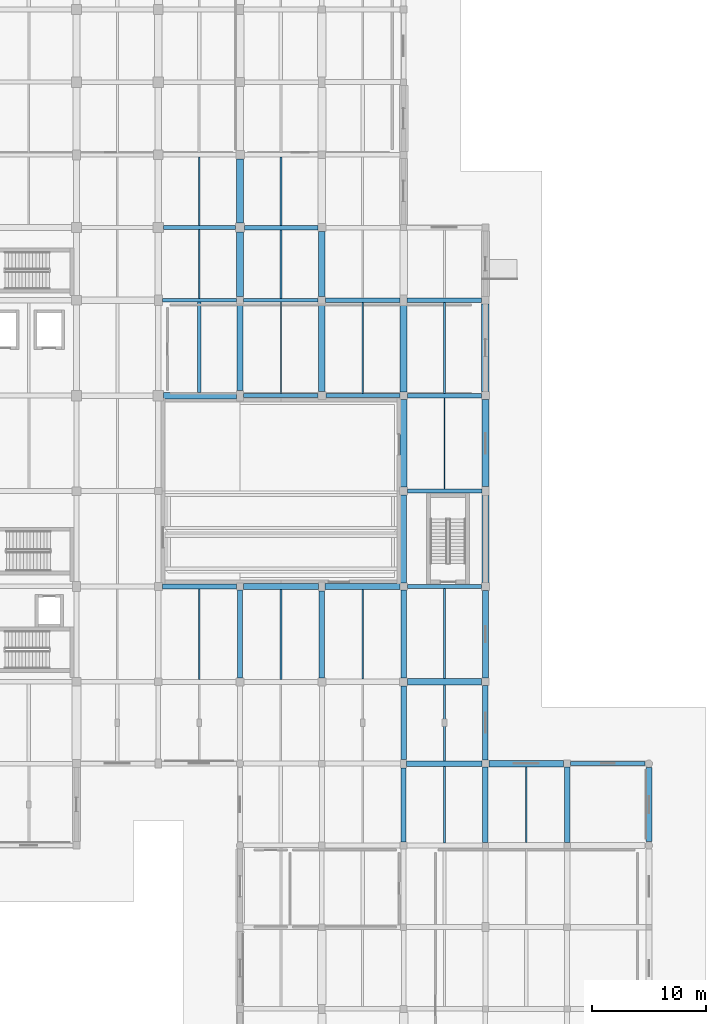
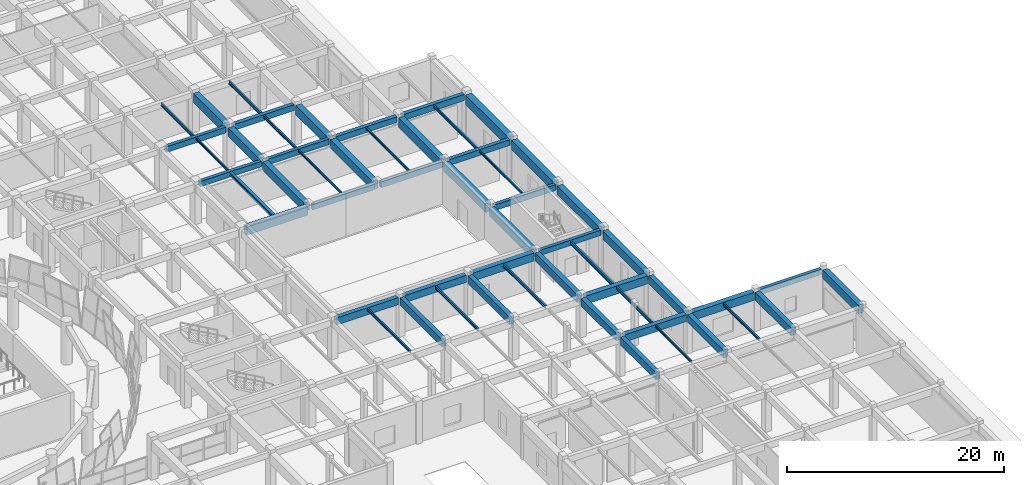
# One storey, part 37 of 72: 56 beams.
"""IFC4 building model written with IfcOpenShell, lengths in metres."""

from ifc_helpers import new_model, si_unit, direction, frame, origin, origin_2d, place, context, subcontext, project, spatial, rectangle, i_section, extrude, material, material_profile, profile_set, type_object, element, save


model = new_model("IFC4")

# Units and contexts
model_context = context("Model", 3, precision=1e-05, world=origin(), true_north=direction((0.0, 1.0)))
body_context = subcontext(model_context, "Body", "Model", "MODEL_VIEW")
ifc_project = project(units=[si_unit("LENGTHUNIT", "METRE"), si_unit("AREAUNIT", "SQUARE_METRE"), si_unit("VOLUMEUNIT", "CUBIC_METRE"), si_unit("PLANEANGLEUNIT", "RADIAN"), si_unit("MASSUNIT", "GRAM", prefix="KILO")], contexts=[model_context])

# Site, building, storey
site_placement = place(None, origin())
site = spatial("IfcSite", under=ifc_project, at=site_placement, CompositionType="ELEMENT")
building_placement = place(site_placement, origin())
building = spatial("IfcBuilding", under=site, at=building_placement, Name="Korsvaeld Concert Hall", CompositionType="ELEMENT")
storey_placement = place(building_placement, origin())
storey = spatial("IfcBuildingStorey", under=building, at=storey_placement, Name="L00", CompositionType="ELEMENT", Elevation=0.0)

# Beams
ifc_material_1 = material(Name="Concrete C35/45", Category="concrete")
ifc_material_profile_1 = material_profile(ifc_material_1, rectangle(XDim=0.35009765625, YDim=0.60009765625, at=origin_2d()), Name="RC 350x600")
ifc_profile_set_1 = profile_set([ifc_material_profile_1], Name="Concrete C35/45")
beam_type_1 = type_object("IfcBeamType", Name="BM-RC-350x600", PredefinedType="T_BEAM", material=ifc_profile_set_1)
beam_1_placement = place(storey_placement, frame((161.10009765625, 36.0, 4.139892578125), z_axis=(1.0, 0.0, 0.0), x_axis=(0.0, 1.0, 0.0)))
element("IfcBeam", 1, at=beam_1_placement, inside=storey, type_object=beam_type_1, Name="Primary girder 22-23/F L00", PredefinedType="T_BEAM", context=body_context, shape_type="SweptSolid", body=[
    extrude(rectangle(XDim=0.35009765625, YDim=0.60009765625, at=origin_2d()), origin(), (0.0, 0.0, 1.0), 6.574951171875),
])
beam_2_placement = place(storey_placement, frame((146.72509765625, 51.60009765625, 4.139892578125), z_axis=(1.0, 0.0, 0.0), x_axis=(0.0, 1.0, 0.0)))
element("IfcBeam", 2, at=beam_2_placement, inside=storey, type_object=beam_type_1, Name="Primary girder 20-21/H L00", PredefinedType="T_BEAM", context=body_context, shape_type="SweptSolid", body=[
    extrude(rectangle(XDim=0.35009765625, YDim=0.60009765625, at=origin_2d()), origin(), (0.0, 0.0, 1.0), 6.52490234375),
])
beam_3_placement = place(storey_placement, frame((132.300048828125, 68.39990234375, 4.139892578125), z_axis=(1.0, 0.0, 0.0), x_axis=(0.0, 1.0, 0.0)))
element("IfcBeam", 3, at=beam_3_placement, inside=storey, type_object=beam_type_1, Name="Primary girder 18-19/K L00", PredefinedType="T_BEAM", context=body_context, shape_type="SweptSolid", body=[
    extrude(rectangle(XDim=0.35009765625, YDim=0.60009765625, at=origin_2d()), origin(), (0.0, 0.0, 1.0), 6.550048828125),
])
beam_4_placement = place(storey_placement, frame((125.14990234375, 76.800048828125, 4.139892578125), z_axis=(1.0, 0.0, 0.0), x_axis=(0.0, 1.0, 0.0)))
element("IfcBeam", 4, at=beam_4_placement, inside=storey, type_object=beam_type_1, Name="Primary girder 17-18/L L00", PredefinedType="T_BEAM", context=body_context, shape_type="SweptSolid", body=[
    extrude(rectangle(XDim=0.35009765625, YDim=0.60009765625, at=origin_2d()), origin(), (0.0, 0.0, 1.0), 6.525146484375),
])
ifc_material_profile_2 = material_profile(ifc_material_1, rectangle(XDim=0.35009765625, YDim=0.64990234375, at=origin_2d()), Name="RC 350x650")
ifc_profile_set_2 = profile_set([ifc_material_profile_2], Name="Concrete C35/45")
beam_type_2 = type_object("IfcBeamType", Name="BM-RC-350x650", PredefinedType="T_BEAM", material=ifc_profile_set_2)
beam_5_placement = place(storey_placement, frame((146.75, 60.0, 4.114990234375), z_axis=(1.0, 0.0, 0.0), x_axis=(0.0, 1.0, 0.0)))
element("IfcBeam", 5, at=beam_5_placement, inside=storey, type_object=beam_type_2, Name="Primary girder 20-21/J L00", PredefinedType="T_BEAM", context=body_context, shape_type="SweptSolid", body=[
    extrude(rectangle(XDim=0.35009765625, YDim=0.64990234375, at=origin_2d()), origin(), (0.0, 0.0, 1.0), 6.550048828125),
])
beam_6_placement = place(storey_placement, frame((139.550048828125, 68.39990234375, 4.114990234375), z_axis=(1.0, 0.0, 0.0), x_axis=(0.0, 1.0, 0.0)))
element("IfcBeam", 6, at=beam_6_placement, inside=storey, type_object=beam_type_2, Name="Primary girder 19-20/K L00", PredefinedType="T_BEAM", context=body_context, shape_type="SweptSolid", body=[
    extrude(rectangle(XDim=0.35009765625, YDim=0.64990234375, at=origin_2d()), origin(), (0.0, 0.0, 1.0), 6.52490234375),
])
beam_7_placement = place(storey_placement, frame((132.324951171875, 76.800048828125, 4.114990234375), z_axis=(1.0, 0.0, 0.0), x_axis=(0.0, 1.0, 0.0)))
element("IfcBeam", 7, at=beam_7_placement, inside=storey, type_object=beam_type_2, Name="Primary girder 18-19/L L00", PredefinedType="T_BEAM", context=body_context, shape_type="SweptSolid", body=[
    extrude(rectangle(XDim=0.35009765625, YDim=0.64990234375, at=origin_2d()), origin(), (0.0, 0.0, 1.0), 6.550048828125),
])
beam_8_placement = place(storey_placement, frame((125.25, 83.199951171875, 4.114990234375), z_axis=(1.0, 0.0, 0.0), x_axis=(0.0, 1.0, 0.0)))
element("IfcBeam", 8, at=beam_8_placement, inside=storey, type_object=beam_type_2, Name="Primary girder 17-18/M L00", PredefinedType="T_BEAM", context=body_context, shape_type="SweptSolid", body=[
    extrude(rectangle(XDim=0.35009765625, YDim=0.64990234375, at=origin_2d()), origin(), (0.0, 0.0, 1.0), 6.35009765625),
])
ifc_material_profile_3 = material_profile(ifc_material_1, rectangle(XDim=0.39990234375, YDim=0.64990234375, at=origin_2d()), Name="RC 400x650")
ifc_profile_set_3 = profile_set([ifc_material_profile_3], Name="Concrete C35/45")
beam_type_3 = type_object("IfcBeamType", Name="BM-RC-400x650", PredefinedType="T_BEAM", material=ifc_profile_set_3)
beam_9_placement = place(storey_placement, frame((146.72509765625, 68.39990234375, 4.114990234375), z_axis=(1.0, 0.0, 0.0), x_axis=(0.0, 1.0, 0.0)))
element("IfcBeam", 9, at=beam_9_placement, inside=storey, type_object=beam_type_3, Name="Primary girder 20-21/K L00", PredefinedType="T_BEAM", context=body_context, shape_type="SweptSolid", body=[
    extrude(rectangle(XDim=0.39990234375, YDim=0.64990234375, at=origin_2d()), origin(), (0.0, 0.0, 1.0), 6.52490234375),
])
beam_10_placement = place(storey_placement, frame((139.52490234375, 76.800048828125, 4.114990234375), z_axis=(1.0, 0.0, 0.0), x_axis=(0.0, 1.0, 0.0)))
element("IfcBeam", 10, at=beam_10_placement, inside=storey, type_object=beam_type_3, Name="Primary girder 19-20/L L00", PredefinedType="T_BEAM", context=body_context, shape_type="SweptSolid", body=[
    extrude(rectangle(XDim=0.39990234375, YDim=0.64990234375, at=origin_2d()), origin(), (0.0, 0.0, 1.0), 6.5751953125),
])
beam_11_placement = place(storey_placement, frame((132.39990234375, 83.199951171875, 4.114990234375), z_axis=(1.0, 0.0, 0.0), x_axis=(0.0, 1.0, 0.0)))
element("IfcBeam", 11, at=beam_11_placement, inside=storey, type_object=beam_type_3, Name="Primary girder 18-19/M L00", PredefinedType="T_BEAM", context=body_context, shape_type="SweptSolid", body=[
    extrude(rectangle(XDim=0.39990234375, YDim=0.64990234375, at=origin_2d()), origin(), (0.0, 0.0, 1.0), 6.4501953125),
])
ifc_material_profile_4 = material_profile(ifc_material_1, rectangle(XDim=0.39990234375, YDim=0.699951171875, at=origin_2d()), Name="RC 400x700")
ifc_profile_set_4 = profile_set([ifc_material_profile_4], Name="Concrete C35/45")
beam_type_4 = type_object("IfcBeamType", Name="BM-RC-400x700", PredefinedType="T_BEAM", material=ifc_profile_set_4)
beam_12_placement = place(storey_placement, frame((146.699951171875, 76.800048828125, 4.090087890625), z_axis=(1.0, 0.0, 0.0), x_axis=(0.0, 1.0, 0.0)))
element("IfcBeam", 12, at=beam_12_placement, inside=storey, type_object=beam_type_4, Name="Primary girder 20-21/L L00", PredefinedType="T_BEAM", context=body_context, shape_type="SweptSolid", body=[
    extrude(rectangle(XDim=0.39990234375, YDim=0.699951171875, at=origin_2d()), origin(), (0.0, 0.0, 1.0), 6.574951171875),
])
ifc_material_profile_5 = material_profile(ifc_material_1, rectangle(XDim=0.449951171875, YDim=0.800048828125, at=origin_2d()), Name="RC 450x800")
ifc_profile_set_5 = profile_set([ifc_material_profile_5], Name="Concrete C35/45")
beam_type_5 = type_object("IfcBeamType", Name="BM-RC-450x800", PredefinedType="T_BEAM", material=ifc_profile_set_5)
beam_13_placement = place(storey_placement, frame((125.14990234375, 51.60009765625, 4.0400390625), z_axis=(1.0, 0.0, 0.0), x_axis=(0.0, 1.0, 0.0)))
element("IfcBeam", 13, at=beam_13_placement, inside=storey, type_object=beam_type_5, Name="Primary girder 17-18/H L00", PredefinedType="T_BEAM", context=body_context, shape_type="SweptSolid", body=[
    extrude(rectangle(XDim=0.449951171875, YDim=0.800048828125, at=origin_2d()), origin(), (0.0, 0.0, 1.0), 6.525146484375),
])
ifc_material_2 = material(Name="Concrete C40/50", Category="concrete")
ifc_material_profile_6 = material_profile(ifc_material_2, rectangle(XDim=0.449951171875, YDim=0.85009765625, at=origin_2d()), Name="RC 450x850")
ifc_profile_set_6 = profile_set([ifc_material_profile_6], Name="Concrete C40/50")
beam_type_6 = type_object("IfcBeamType", Name="BM-RC-450x850", PredefinedType="T_BEAM", material=ifc_profile_set_6)
beam_14_placement = place(storey_placement, frame((132.0, 43.550048828125, 4.014892578125), z_axis=(0.0, 1.0, 0.0), x_axis=(-1.0, 0.0, 0.0)))
element("IfcBeam", 14, at=beam_14_placement, inside=storey, type_object=beam_type_6, Name="Primary girder 18/G-H L00", PredefinedType="T_BEAM", context=body_context, shape_type="SweptSolid", body=[
    extrude(rectangle(XDim=0.449951171875, YDim=0.85009765625, at=origin_2d()), origin(), (0.0, 0.0, 1.0), 7.724853515625),
])
beam_15_placement = place(storey_placement, frame((146.39990234375, 29.10009765625, 4.014892578125), z_axis=(0.0, 1.0, 0.0), x_axis=(-1.0, 0.0, 0.0)))
element("IfcBeam", 15, at=beam_15_placement, inside=storey, type_object=beam_type_6, Name="Primary girder 20/E-F L00", PredefinedType="T_BEAM", context=body_context, shape_type="SweptSolid", body=[
    extrude(rectangle(XDim=0.449951171875, YDim=0.85009765625, at=origin_2d()), origin(), (0.0, 0.0, 1.0), 6.52490234375),
])
ifc_material_profile_7 = material_profile(ifc_material_2, rectangle(XDim=0.5, YDim=0.800048828125, at=origin_2d()), Name="RC 500x800")
ifc_profile_set_7 = profile_set([ifc_material_profile_7], Name="Concrete C40/50")
beam_type_7 = type_object("IfcBeamType", Name="BM-RC-500x800", PredefinedType="T_BEAM", material=ifc_profile_set_7)
beam_16_placement = place(storey_placement, frame((146.675048828125, 36.0, 4.0400390625), z_axis=(1.0, 0.0, 0.0), x_axis=(0.0, 1.0, 0.0)))
element("IfcBeam", 16, at=beam_16_placement, inside=storey, type_object=beam_type_7, Name="Primary girder 20-21/F L00", PredefinedType="T_BEAM", context=body_context, shape_type="SweptSolid", body=[
    extrude(rectangle(XDim=0.5, YDim=0.800048828125, at=origin_2d()), origin(), (0.0, 0.0, 1.0), 6.625),
])
beam_17_placement = place(storey_placement, frame((132.324951171875, 51.60009765625, 4.0400390625), z_axis=(1.0, 0.0, 0.0), x_axis=(0.0, 1.0, 0.0)))
element("IfcBeam", 17, at=beam_17_placement, inside=storey, type_object=beam_type_7, Name="Primary girder 18-19/H L00", PredefinedType="T_BEAM", context=body_context, shape_type="SweptSolid", body=[
    extrude(rectangle(XDim=0.5, YDim=0.800048828125, at=origin_2d()), origin(), (0.0, 0.0, 1.0), 6.574951171875),
])
ifc_material_profile_8 = material_profile(ifc_material_2, rectangle(XDim=0.5, YDim=0.85009765625, at=origin_2d()), Name="RC 500x850")
ifc_profile_set_8 = profile_set([ifc_material_profile_8], Name="Concrete C40/50")
beam_type_8 = type_object("IfcBeamType", Name="BM-RC-500x850", PredefinedType="T_BEAM", material=ifc_profile_set_8)
beam_18_placement = place(storey_placement, frame((139.199951171875, 43.550048828125, 4.014892578125), z_axis=(0.0, 1.0, 0.0), x_axis=(-1.0, 0.0, 0.0)))
element("IfcBeam", 18, at=beam_18_placement, inside=storey, type_object=beam_type_8, Name="Primary girder 19/G-H L00", PredefinedType="T_BEAM", context=body_context, shape_type="SweptSolid", body=[
    extrude(rectangle(XDim=0.5, YDim=0.85009765625, at=origin_2d()), origin(), (0.0, 0.0, 1.0), 7.64990234375),
])
beam_19_placement = place(storey_placement, frame((146.39990234375, 36.375, 4.014892578125), z_axis=(0.0, 1.0, 0.0), x_axis=(-1.0, 0.0, 0.0)))
element("IfcBeam", 19, at=beam_19_placement, inside=storey, type_object=beam_type_8, Name="Primary girder 20/F-G L00", PredefinedType="T_BEAM", context=body_context, shape_type="SweptSolid", body=[
    extrude(rectangle(XDim=0.5, YDim=0.85009765625, at=origin_2d()), origin(), (0.0, 0.0, 1.0), 6.47509765625),
])
beam_20_placement = place(storey_placement, frame((153.60009765625, 29.074951171875, 4.014892578125), z_axis=(0.0, 1.0, 0.0), x_axis=(-1.0, 0.0, 0.0)))
element("IfcBeam", 20, at=beam_20_placement, inside=storey, type_object=beam_type_8, Name="Primary girder 21/E-F L00", PredefinedType="T_BEAM", context=body_context, shape_type="SweptSolid", body=[
    extrude(rectangle(XDim=0.5, YDim=0.85009765625, at=origin_2d()), origin(), (0.0, 0.0, 1.0), 6.625),
])
ifc_material_profile_9 = material_profile(ifc_material_2, rectangle(XDim=0.5, YDim=0.89990234375, at=origin_2d()), Name="RC 500x900")
ifc_profile_set_9 = profile_set([ifc_material_profile_9], Name="Concrete C40/50")
beam_type_9 = type_object("IfcBeamType", Name="BM-RC-500x900", PredefinedType="T_BEAM", material=ifc_profile_set_9)
beam_21_placement = place(storey_placement, frame((146.39990234375, 43.550048828125, 3.989990234375), z_axis=(0.0, 1.0, 0.0), x_axis=(-1.0, 0.0, 0.0)))
element("IfcBeam", 21, at=beam_21_placement, inside=storey, type_object=beam_type_9, Name="Primary girder 20/G-H L00", PredefinedType="T_BEAM", context=body_context, shape_type="SweptSolid", body=[
    extrude(rectangle(XDim=0.5, YDim=0.89990234375, at=origin_2d()), origin(), (0.0, 0.0, 1.0), 7.724853515625),
])
beam_22_placement = place(storey_placement, frame((153.60009765625, 36.300048828125, 3.989990234375), z_axis=(0.0, 1.0, 0.0), x_axis=(-1.0, 0.0, 0.0)))
element("IfcBeam", 22, at=beam_22_placement, inside=storey, type_object=beam_type_9, Name="Primary girder 21/F-G L00", PredefinedType="T_BEAM", context=body_context, shape_type="SweptSolid", body=[
    extrude(rectangle(XDim=0.5, YDim=0.89990234375, at=origin_2d()), origin(), (0.0, 0.0, 1.0), 6.574951171875),
])
beam_23_placement = place(storey_placement, frame((160.800048828125, 29.074951171875, 3.989990234375), z_axis=(0.0, 1.0, 0.0), x_axis=(-1.0, 0.0, 0.0)))
element("IfcBeam", 23, at=beam_23_placement, inside=storey, type_object=beam_type_9, Name="Primary girder 22/E-F L00", PredefinedType="T_BEAM", context=body_context, shape_type="SweptSolid", body=[
    extrude(rectangle(XDim=0.5, YDim=0.89990234375, at=origin_2d()), origin(), (0.0, 0.0, 1.0), 6.625),
])
ifc_material_profile_10 = material_profile(ifc_material_2, rectangle(XDim=0.550048828125, YDim=0.89990234375, at=origin_2d()), Name="RC 550x900")
ifc_profile_set_10 = profile_set([ifc_material_profile_10], Name="Concrete C40/50")
beam_type_10 = type_object("IfcBeamType", Name="BM-RC-550x900", PredefinedType="T_BEAM", material=ifc_profile_set_10)
beam_24_placement = place(storey_placement, frame((153.89990234375, 36.0, 3.989990234375), z_axis=(1.0, 0.0, 0.0), x_axis=(0.0, 1.0, 0.0)))
element("IfcBeam", 24, at=beam_24_placement, inside=storey, type_object=beam_type_10, Name="Primary girder 21-22/F L00", PredefinedType="T_BEAM", context=body_context, shape_type="SweptSolid", body=[
    extrude(rectangle(XDim=0.550048828125, YDim=0.89990234375, at=origin_2d()), origin(), (0.0, 0.0, 1.0), 6.60009765625),
])
beam_25_placement = place(storey_placement, frame((146.75, 43.199951171875, 3.989990234375), z_axis=(1.0, 0.0, 0.0), x_axis=(0.0, 1.0, 0.0)))
element("IfcBeam", 25, at=beam_25_placement, inside=storey, type_object=beam_type_10, Name="Primary girder 20-21/G L00", PredefinedType="T_BEAM", context=body_context, shape_type="SweptSolid", body=[
    extrude(rectangle(XDim=0.550048828125, YDim=0.89990234375, at=origin_2d()), origin(), (0.0, 0.0, 1.0), 6.52490234375),
])
beam_26_placement = place(storey_placement, frame((139.5, 51.60009765625, 3.989990234375), z_axis=(1.0, 0.0, 0.0), x_axis=(0.0, 1.0, 0.0)))
element("IfcBeam", 26, at=beam_26_placement, inside=storey, type_object=beam_type_10, Name="Primary girder 19-20/H L00", PredefinedType="T_BEAM", context=body_context, shape_type="SweptSolid", body=[
    extrude(rectangle(XDim=0.550048828125, YDim=0.89990234375, at=origin_2d()), origin(), (0.0, 0.0, 1.0), 6.574951171875),
])
beam_27_placement = place(storey_placement, frame((125.25, 68.39990234375, 3.989990234375), z_axis=(1.0, 0.0, 0.0), x_axis=(0.0, 1.0, 0.0)))
element("IfcBeam", 27, at=beam_27_placement, inside=storey, type_object=beam_type_10, Name="Primary girder 17-18/K L00", PredefinedType="T_BEAM", context=body_context, shape_type="SweptSolid", body=[
    extrude(rectangle(XDim=0.550048828125, YDim=0.89990234375, at=origin_2d()), origin(), (0.0, 0.0, 1.0), 6.449951171875),
])
ifc_material_profile_11 = material_profile(ifc_material_2, rectangle(XDim=0.550048828125, YDim=0.949951171875, at=origin_2d()), Name="RC 550x950")
ifc_profile_set_11 = profile_set([ifc_material_profile_11], Name="Concrete C40/50")
beam_type_11 = type_object("IfcBeamType", Name="BM-RC-550x950", PredefinedType="T_BEAM", material=ifc_profile_set_11)
beam_28_placement = place(storey_placement, frame((132.0, 68.85009765625, 3.965087890625), z_axis=(0.0, 1.0, 0.0), x_axis=(-1.0, 0.0, 0.0)))
element("IfcBeam", 28, at=beam_28_placement, inside=storey, type_object=beam_type_11, Name="Primary girder 18/K-L L00", PredefinedType="T_BEAM", context=body_context, shape_type="SweptSolid", body=[
    extrude(rectangle(XDim=0.550048828125, YDim=0.949951171875, at=origin_2d()), origin(), (0.0, 0.0, 1.0), 7.625),
])
beam_29_placement = place(storey_placement, frame((146.39990234375, 51.925048828125, 3.965087890625), z_axis=(0.0, 1.0, 0.0), x_axis=(-1.0, 0.0, 0.0)))
element("IfcBeam", 29, at=beam_29_placement, inside=storey, type_object=beam_type_11, Name="Primary girder 20/H-J L00", PredefinedType="T_BEAM", context=body_context, shape_type="SweptSolid", body=[
    extrude(rectangle(XDim=0.550048828125, YDim=0.949951171875, at=origin_2d()), origin(), (0.0, 0.0, 1.0), 7.724853515625),
])
beam_30_placement = place(storey_placement, frame((153.60009765625, 43.52490234375, 3.965087890625), z_axis=(0.0, 1.0, 0.0), x_axis=(-1.0, 0.0, 0.0)))
element("IfcBeam", 30, at=beam_30_placement, inside=storey, type_object=beam_type_11, Name="Primary girder 21/G-H L00", PredefinedType="T_BEAM", context=body_context, shape_type="SweptSolid", body=[
    extrude(rectangle(XDim=0.550048828125, YDim=0.949951171875, at=origin_2d()), origin(), (0.0, 0.0, 1.0), 7.72509765625),
])
beam_31_placement = place(storey_placement, frame((168.0, 29.125, 3.965087890625), z_axis=(0.0, 1.0, 0.0), x_axis=(-1.0, 0.0, 0.0)))
element("IfcBeam", 31, at=beam_31_placement, inside=storey, type_object=beam_type_11, Name="Primary girder 23/E-F L00", PredefinedType="T_BEAM", context=body_context, shape_type="SweptSolid", body=[
    extrude(rectangle(XDim=0.550048828125, YDim=0.949951171875, at=origin_2d()), origin(), (0.0, 0.0, 1.0), 6.550048828125),
])
ifc_material_profile_12 = material_profile(ifc_material_2, rectangle(XDim=0.60009765625, YDim=1.050048828125, at=origin_2d()), Name="RC 600x1050")
ifc_profile_set_12 = profile_set([ifc_material_profile_12], Name="Concrete C40/50")
beam_type_12 = type_object("IfcBeamType", Name="BM-RC-600x1050", PredefinedType="T_BEAM", material=ifc_profile_set_12)
beam_32_placement = place(storey_placement, frame((132.0, 83.60009765625, 3.9150390625), z_axis=(0.0, 1.0, 0.0), x_axis=(-1.0, 0.0, 0.0)))
element("IfcBeam", 32, at=beam_32_placement, inside=storey, type_object=beam_type_12, Name="Primary girder 18/M-N L00", PredefinedType="T_BEAM", context=body_context, shape_type="SweptSolid", body=[
    extrude(rectangle(XDim=0.60009765625, YDim=1.050048828125, at=origin_2d()), origin(), (0.0, 0.0, 1.0), 5.625),
])
beam_33_placement = place(storey_placement, frame((139.199951171875, 77.125, 3.9150390625), z_axis=(0.0, 1.0, 0.0), x_axis=(-1.0, 0.0, 0.0)))
element("IfcBeam", 33, at=beam_33_placement, inside=storey, type_object=beam_type_12, Name="Primary girder 19/L-M L00", PredefinedType="T_BEAM", context=body_context, shape_type="SweptSolid", body=[
    extrude(rectangle(XDim=0.60009765625, YDim=1.050048828125, at=origin_2d()), origin(), (0.0, 0.0, 1.0), 5.72509765625),
])
beam_34_placement = place(storey_placement, frame((146.39990234375, 68.72509765625, 3.9150390625), z_axis=(0.0, 1.0, 0.0), x_axis=(-1.0, 0.0, 0.0)))
element("IfcBeam", 34, at=beam_34_placement, inside=storey, type_object=beam_type_12, Name="Primary girder 20/K-L L00", PredefinedType="T_BEAM", context=body_context, shape_type="SweptSolid", body=[
    extrude(rectangle(XDim=0.60009765625, YDim=1.050048828125, at=origin_2d()), origin(), (0.0, 0.0, 1.0), 7.625),
])
beam_35_placement = place(storey_placement, frame((153.60009765625, 60.39990234375, 3.9150390625), z_axis=(0.0, 1.0, 0.0), x_axis=(-1.0, 0.0, 0.0)))
element("IfcBeam", 35, at=beam_35_placement, inside=storey, type_object=beam_type_12, Name="Primary girder 21/J-K L00", PredefinedType="T_BEAM", context=body_context, shape_type="SweptSolid", body=[
    extrude(rectangle(XDim=0.60009765625, YDim=1.050048828125, at=origin_2d()), origin(), (0.0, 0.0, 1.0), 7.650146484375),
])
ifc_material_profile_13 = material_profile(ifc_material_2, rectangle(XDim=0.60009765625, YDim=0.949951171875, at=origin_2d()), Name="RC 600x950")
ifc_profile_set_13 = profile_set([ifc_material_profile_13], Name="Concrete C40/50")
beam_type_13 = type_object("IfcBeamType", Name="BM-RC-600x950", PredefinedType="T_BEAM", material=ifc_profile_set_13)
beam_36_placement = place(storey_placement, frame((132.0, 77.125, 3.965087890625), z_axis=(0.0, 1.0, 0.0), x_axis=(-1.0, 0.0, 0.0)))
element("IfcBeam", 36, at=beam_36_placement, inside=storey, type_object=beam_type_13, Name="Primary girder 18/L-M L00", PredefinedType="T_BEAM", context=body_context, shape_type="SweptSolid", body=[
    extrude(rectangle(XDim=0.60009765625, YDim=0.949951171875, at=origin_2d()), origin(), (0.0, 0.0, 1.0), 5.675048828125),
])
beam_37_placement = place(storey_placement, frame((139.199951171875, 68.75, 3.965087890625), z_axis=(0.0, 1.0, 0.0), x_axis=(-1.0, 0.0, 0.0)))
element("IfcBeam", 37, at=beam_37_placement, inside=storey, type_object=beam_type_13, Name="Primary girder 19/K-L L00", PredefinedType="T_BEAM", context=body_context, shape_type="SweptSolid", body=[
    extrude(rectangle(XDim=0.60009765625, YDim=0.949951171875, at=origin_2d()), origin(), (0.0, 0.0, 1.0), 7.72509765625),
])
beam_38_placement = place(storey_placement, frame((146.39990234375, 60.35009765625, 3.965087890625), z_axis=(0.0, 1.0, 0.0), x_axis=(-1.0, 0.0, 0.0)))
element("IfcBeam", 38, at=beam_38_placement, inside=storey, type_object=beam_type_13, Name="Primary girder 20/J-K L00", PredefinedType="T_BEAM", context=body_context, shape_type="SweptSolid", body=[
    extrude(rectangle(XDim=0.60009765625, YDim=0.949951171875, at=origin_2d()), origin(), (0.0, 0.0, 1.0), 7.724853515625),
])
beam_39_placement = place(storey_placement, frame((153.60009765625, 51.949951171875, 3.965087890625), z_axis=(0.0, 1.0, 0.0), x_axis=(-1.0, 0.0, 0.0)))
element("IfcBeam", 39, at=beam_39_placement, inside=storey, type_object=beam_type_13, Name="Primary girder 21/H-J L00", PredefinedType="T_BEAM", context=body_context, shape_type="SweptSolid", body=[
    extrude(rectangle(XDim=0.60009765625, YDim=0.949951171875, at=origin_2d()), origin(), (0.0, 0.0, 1.0), 7.650146484375),
])
ifc_material_profile_14 = material_profile(ifc_material_2, rectangle(XDim=0.64990234375, YDim=1.10009765625, at=origin_2d()), Name="RC 650x1100")
ifc_profile_set_14 = profile_set([ifc_material_profile_14], Name="Concrete C40/50")
beam_type_14 = type_object("IfcBeamType", Name="BM-RC-650x1100", PredefinedType="T_BEAM", material=ifc_profile_set_14)
beam_40_placement = place(storey_placement, frame((153.60009765625, 68.75, 3.889892578125), z_axis=(0.0, 1.0, 0.0), x_axis=(-1.0, 0.0, 0.0)))
element("IfcBeam", 40, at=beam_40_placement, inside=storey, type_object=beam_type_14, Name="Primary girder 21/K-L L00", PredefinedType="T_BEAM", context=body_context, shape_type="SweptSolid", body=[
    extrude(rectangle(XDim=0.64990234375, YDim=1.10009765625, at=origin_2d()), origin(), (0.0, 0.0, 1.0), 7.72509765625),
])
ifc_material_3 = material(Name="Steel S355J2", Category="steel")
ifc_material_profile_15 = material_profile(ifc_material_3, i_section(OverallWidth=0.300048828125, OverallDepth=0.35009765625, WebThickness=0.010009765625, FlangeThickness=0.017578125, FilletRadius=0.027099609375, at=origin_2d()), Name="HEA 360")
ifc_profile_set_15 = profile_set([ifc_material_profile_15], Name="Steel S355J2")
beam_type_15 = type_object("IfcBeamType", Name="BM-STL-HEA360", PredefinedType="BEAM", material=ifc_profile_set_15)
beam_41_placement = place(storey_placement, frame((128.39990234375, 68.675048828125, 4.264892578125), z_axis=(0.0, 1.0, 0.0), x_axis=(-1.0, 0.0, 0.0)))
element("IfcBeam", 41, at=beam_41_placement, inside=storey, type_object=beam_type_15, Name="Secondary steel floor beam 17-18/K L00", PredefinedType="BEAM", context=body_context, shape_type="SweptSolid", body=[
    extrude(i_section(OverallWidth=0.300048828125, OverallDepth=0.35009765625, WebThickness=0.010009765625, FlangeThickness=0.017578125, FilletRadius=0.027099609375, at=origin_2d()), origin(), (0.0, 0.0, 1.0), 7.949951171875),
])
ifc_material_profile_16 = material_profile(ifc_material_3, i_section(OverallWidth=0.1201171875, OverallDepth=0.239990234375, WebThickness=0.006103515625, FlangeThickness=0.009765625, FilletRadius=0.014892578125, at=origin_2d()), Name="IPE 240")
ifc_profile_set_16 = profile_set([ifc_material_profile_16], Name="Steel S355J2")
beam_type_16 = type_object("IfcBeamType", Name="BM-STL-IPE240", PredefinedType="JOIST", material=ifc_profile_set_16)
beam_42_placement = place(storey_placement, frame((135.60009765625, 68.574951171875, 4.320068359375), z_axis=(0.0, 1.0, 0.0), x_axis=(-1.0, 0.0, 0.0)))
element("IfcBeam", 42, at=beam_42_placement, inside=storey, type_object=beam_type_16, Name="Secondary steel floor beam 18-19/K L00", PredefinedType="JOIST", context=body_context, shape_type="SweptSolid", body=[
    extrude(i_section(OverallWidth=0.1201171875, OverallDepth=0.239990234375, WebThickness=0.006103515625, FlangeThickness=0.009765625, FilletRadius=0.014892578125, at=origin_2d()), origin(), (0.0, 0.0, 1.0), 8.050048828125),
])
beam_43_placement = place(storey_placement, frame((150.0, 60.175048828125, 4.320068359375), z_axis=(0.0, 1.0, 0.0), x_axis=(-1.0, 0.0, 0.0)))
element("IfcBeam", 43, at=beam_43_placement, inside=storey, type_object=beam_type_16, Name="Secondary steel floor beam 20-21/J L00", PredefinedType="JOIST", context=body_context, shape_type="SweptSolid", body=[
    extrude(i_section(OverallWidth=0.1201171875, OverallDepth=0.239990234375, WebThickness=0.006103515625, FlangeThickness=0.009765625, FilletRadius=0.014892578125, at=origin_2d()), origin(), (0.0, 0.0, 1.0), 8.02490234375),
])
ifc_material_profile_17 = material_profile(ifc_material_3, i_section(OverallWidth=0.135009765625, OverallDepth=0.27001953125, WebThickness=0.006591796875, FlangeThickness=0.01025390625, FilletRadius=0.014892578125, at=origin_2d()), Name="IPE 270")
ifc_profile_set_17 = profile_set([ifc_material_profile_17], Name="Steel S355J2")
beam_type_17 = type_object("IfcBeamType", Name="BM-STL-IPE270", PredefinedType="JOIST", material=ifc_profile_set_17)
beam_44_placement = place(storey_placement, frame((128.39990234375, 76.97509765625, 4.304931640625), z_axis=(0.0, 1.0, 0.0), x_axis=(-1.0, 0.0, 0.0)))
element("IfcBeam", 44, at=beam_44_placement, inside=storey, type_object=beam_type_17, Name="Secondary steel floor beam 17-18/L L00", PredefinedType="JOIST", context=body_context, shape_type="SweptSolid", body=[
    extrude(i_section(OverallWidth=0.135009765625, OverallDepth=0.27001953125, WebThickness=0.006591796875, FlangeThickness=0.01025390625, FilletRadius=0.014892578125, at=origin_2d()), origin(), (0.0, 0.0, 1.0), 6.0498046875),
])
beam_45_placement = place(storey_placement, frame((142.800048828125, 68.574951171875, 4.304931640625), z_axis=(0.0, 1.0, 0.0), x_axis=(-1.0, 0.0, 0.0)))
element("IfcBeam", 45, at=beam_45_placement, inside=storey, type_object=beam_type_17, Name="Secondary steel floor beam 19-20/K L00", PredefinedType="JOIST", context=body_context, shape_type="SweptSolid", body=[
    extrude(i_section(OverallWidth=0.135009765625, OverallDepth=0.27001953125, WebThickness=0.006591796875, FlangeThickness=0.01025390625, FilletRadius=0.014892578125, at=origin_2d()), origin(), (0.0, 0.0, 1.0), 8.025146484375),
])
beam_46_placement = place(storey_placement, frame((150.0, 29.02490234375, 4.304931640625), z_axis=(0.0, 1.0, 0.0), x_axis=(-1.0, 0.0, 0.0)))
element("IfcBeam", 46, at=beam_46_placement, inside=storey, type_object=beam_type_17, Name="Secondary steel floor beam 20-21/E L00", PredefinedType="JOIST", context=body_context, shape_type="SweptSolid", body=[
    extrude(i_section(OverallWidth=0.135009765625, OverallDepth=0.27001953125, WebThickness=0.006591796875, FlangeThickness=0.01025390625, FilletRadius=0.014892578125, at=origin_2d()), origin(), (0.0, 0.0, 1.0), 6.72509765625),
])
ifc_material_profile_18 = material_profile(ifc_material_3, i_section(OverallWidth=0.14990234375, OverallDepth=0.300048828125, WebThickness=0.007080078125, FlangeThickness=0.0107421875, FilletRadius=0.014892578125, at=origin_2d()), Name="IPE 300")
ifc_profile_set_18 = profile_set([ifc_material_profile_18], Name="Steel S355J2")
beam_type_18 = type_object("IfcBeamType", Name="BM-STL-IPE300", PredefinedType="JOIST", material=ifc_profile_set_18)
beam_47_placement = place(storey_placement, frame((128.39990234375, 43.425048828125, 4.2900390625), z_axis=(0.0, 1.0, 0.0), x_axis=(-1.0, 0.0, 0.0)))
element("IfcBeam", 47, at=beam_47_placement, inside=storey, type_object=beam_type_18, Name="Secondary steel floor beam 17-18/G L00", PredefinedType="JOIST", context=body_context, shape_type="SweptSolid", body=[
    extrude(i_section(OverallWidth=0.14990234375, OverallDepth=0.300048828125, WebThickness=0.007080078125, FlangeThickness=0.0107421875, FilletRadius=0.014892578125, at=origin_2d()), origin(), (0.0, 0.0, 1.0), 7.949951171875),
])
beam_48_placement = place(storey_placement, frame((135.60009765625, 76.97509765625, 4.2900390625), z_axis=(0.0, 1.0, 0.0), x_axis=(-1.0, 0.0, 0.0)))
element("IfcBeam", 48, at=beam_48_placement, inside=storey, type_object=beam_type_18, Name="Secondary steel floor beam 18-19/L L00", PredefinedType="JOIST", context=body_context, shape_type="SweptSolid", body=[
    extrude(i_section(OverallWidth=0.14990234375, OverallDepth=0.300048828125, WebThickness=0.007080078125, FlangeThickness=0.0107421875, FilletRadius=0.014892578125, at=origin_2d()), origin(), (0.0, 0.0, 1.0), 6.02490234375),
])
beam_49_placement = place(storey_placement, frame((150.0, 68.60009765625, 4.2900390625), z_axis=(0.0, 1.0, 0.0), x_axis=(-1.0, 0.0, 0.0)))
element("IfcBeam", 49, at=beam_49_placement, inside=storey, type_object=beam_type_18, Name="Secondary steel floor beam 20-21/K L00", PredefinedType="JOIST", context=body_context, shape_type="SweptSolid", body=[
    extrude(i_section(OverallWidth=0.14990234375, OverallDepth=0.300048828125, WebThickness=0.007080078125, FlangeThickness=0.0107421875, FilletRadius=0.014892578125, at=origin_2d()), origin(), (0.0, 0.0, 1.0), 8.0),
])
beam_50_placement = place(storey_placement, frame((157.199951171875, 29.050048828125, 4.2900390625), z_axis=(0.0, 1.0, 0.0), x_axis=(-1.0, 0.0, 0.0)))
element("IfcBeam", 50, at=beam_50_placement, inside=storey, type_object=beam_type_18, Name="Secondary steel floor beam 21-22/E L00", PredefinedType="JOIST", context=body_context, shape_type="SweptSolid", body=[
    extrude(i_section(OverallWidth=0.14990234375, OverallDepth=0.300048828125, WebThickness=0.007080078125, FlangeThickness=0.0107421875, FilletRadius=0.014892578125, at=origin_2d()), origin(), (0.0, 0.0, 1.0), 6.675048828125),
])
ifc_material_profile_19 = material_profile(ifc_material_3, i_section(OverallWidth=0.159912109375, OverallDepth=0.330078125, WebThickness=0.007568359375, FlangeThickness=0.011474609375, FilletRadius=0.01806640625, at=origin_2d()), Name="IPE 330")
ifc_profile_set_19 = profile_set([ifc_material_profile_19], Name="Steel S355J2")
beam_type_19 = type_object("IfcBeamType", Name="BM-STL-IPE330", PredefinedType="BEAM", material=ifc_profile_set_19)
beam_51_placement = place(storey_placement, frame((128.39990234375, 83.375, 4.27490234375), z_axis=(0.0, 1.0, 0.0), x_axis=(-1.0, 0.0, 0.0)))
element("IfcBeam", 51, at=beam_51_placement, inside=storey, type_object=beam_type_19, Name="Secondary steel floor beam 17-18/M L00", PredefinedType="BEAM", context=body_context, shape_type="SweptSolid", body=[
    extrude(i_section(OverallWidth=0.159912109375, OverallDepth=0.330078125, WebThickness=0.007568359375, FlangeThickness=0.011474609375, FilletRadius=0.01806640625, at=origin_2d()), origin(), (0.0, 0.0, 1.0), 6.02490234375),
])
beam_52_placement = place(storey_placement, frame((135.60009765625, 43.425048828125, 4.27490234375), z_axis=(0.0, 1.0, 0.0), x_axis=(-1.0, 0.0, 0.0)))
element("IfcBeam", 52, at=beam_52_placement, inside=storey, type_object=beam_type_19, Name="Secondary steel floor beam 18-19/G L00", PredefinedType="BEAM", context=body_context, shape_type="SweptSolid", body=[
    extrude(i_section(OverallWidth=0.159912109375, OverallDepth=0.330078125, WebThickness=0.007568359375, FlangeThickness=0.011474609375, FilletRadius=0.01806640625, at=origin_2d()), origin(), (0.0, 0.0, 1.0), 7.925048828125),
])
beam_53_placement = place(storey_placement, frame((150.0, 36.25, 4.27490234375), z_axis=(0.0, 1.0, 0.0), x_axis=(-1.0, 0.0, 0.0)))
element("IfcBeam", 53, at=beam_53_placement, inside=storey, type_object=beam_type_19, Name="Secondary steel floor beam 20-21/F L00", PredefinedType="BEAM", context=body_context, shape_type="SweptSolid", body=[
    extrude(i_section(OverallWidth=0.159912109375, OverallDepth=0.330078125, WebThickness=0.007568359375, FlangeThickness=0.011474609375, FilletRadius=0.01806640625, at=origin_2d()), origin(), (0.0, 0.0, 1.0), 6.675048828125),
])
ifc_material_profile_20 = material_profile(ifc_material_3, i_section(OverallWidth=0.169921875, OverallDepth=0.360107421875, WebThickness=0.008056640625, FlangeThickness=0.0126953125, FilletRadius=0.01806640625, at=origin_2d()), Name="IPE 360")
ifc_profile_set_20 = profile_set([ifc_material_profile_20], Name="Steel S355J2")
beam_type_20 = type_object("IfcBeamType", Name="BM-STL-IPE360", PredefinedType="BEAM", material=ifc_profile_set_20)
beam_54_placement = place(storey_placement, frame((135.60009765625, 83.39990234375, 4.260009765625), z_axis=(0.0, 1.0, 0.0), x_axis=(-1.0, 0.0, 0.0)))
element("IfcBeam", 54, at=beam_54_placement, inside=storey, type_object=beam_type_20, Name="Secondary steel floor beam 18-19/M L00", PredefinedType="BEAM", context=body_context, shape_type="SweptSolid", body=[
    extrude(i_section(OverallWidth=0.169921875, OverallDepth=0.360107421875, WebThickness=0.008056640625, FlangeThickness=0.0126953125, FilletRadius=0.01806640625, at=origin_2d()), origin(), (0.0, 0.0, 1.0), 6.0),
])
beam_55_placement = place(storey_placement, frame((142.800048828125, 43.449951171875, 4.260009765625), z_axis=(0.0, 1.0, 0.0), x_axis=(-1.0, 0.0, 0.0)))
element("IfcBeam", 55, at=beam_55_placement, inside=storey, type_object=beam_type_20, Name="Secondary steel floor beam 19-20/G L00", PredefinedType="BEAM", context=body_context, shape_type="SweptSolid", body=[
    extrude(i_section(OverallWidth=0.169921875, OverallDepth=0.360107421875, WebThickness=0.008056640625, FlangeThickness=0.0126953125, FilletRadius=0.01806640625, at=origin_2d()), origin(), (0.0, 0.0, 1.0), 7.875),
])
ifc_material_profile_21 = material_profile(ifc_material_3, i_section(OverallWidth=0.179931640625, OverallDepth=0.39990234375, WebThickness=0.008544921875, FlangeThickness=0.013427734375, FilletRadius=0.02099609375, at=origin_2d()), Name="IPE 400")
ifc_profile_set_21 = profile_set([ifc_material_profile_21], Name="Steel S355J2")
beam_type_21 = type_object("IfcBeamType", Name="BM-STL-IPE400", PredefinedType="BEAM", material=ifc_profile_set_21)
beam_56_placement = place(storey_placement, frame((150.0, 43.47509765625, 4.239990234375), z_axis=(0.0, 1.0, 0.0), x_axis=(-1.0, 0.0, 0.0)))
element("IfcBeam", 56, at=beam_56_placement, inside=storey, type_object=beam_type_21, Name="Secondary steel floor beam 20-21/G L00", PredefinedType="BEAM", context=body_context, shape_type="SweptSolid", body=[
    extrude(i_section(OverallWidth=0.179931640625, OverallDepth=0.39990234375, WebThickness=0.008544921875, FlangeThickness=0.013427734375, FilletRadius=0.02099609375, at=origin_2d()), origin(), (0.0, 0.0, 1.0), 7.949951171875),
])

save(model, "model.ifc")
